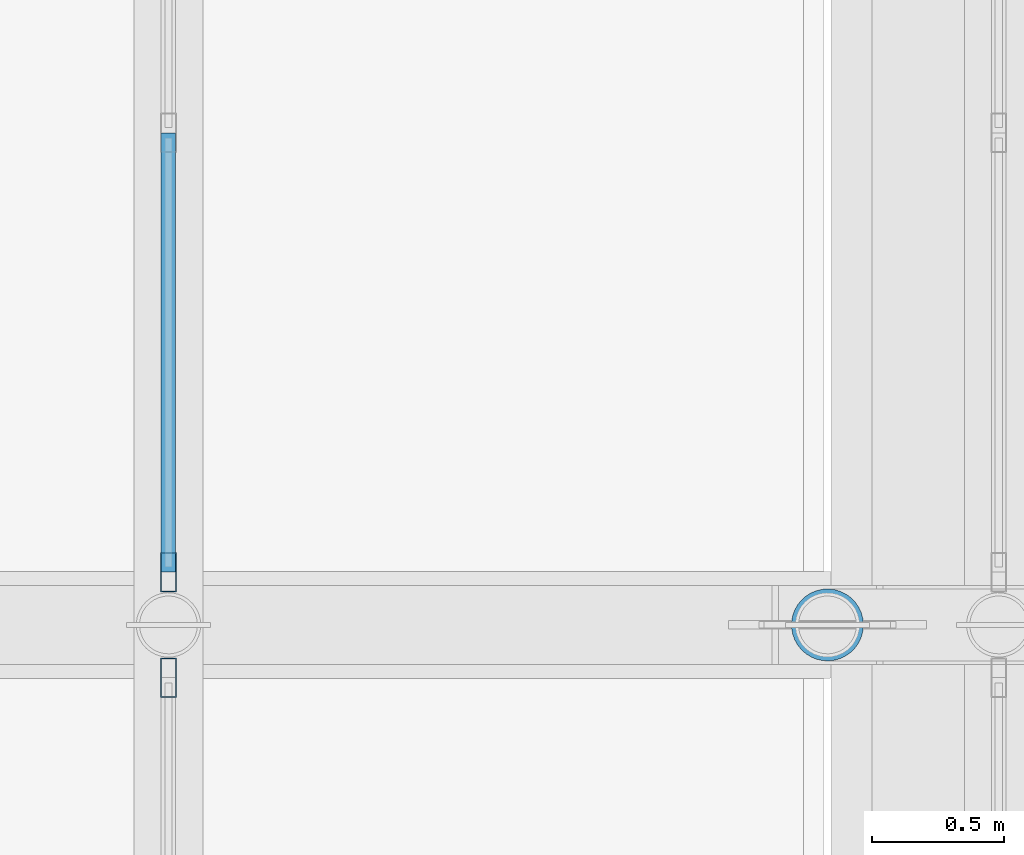
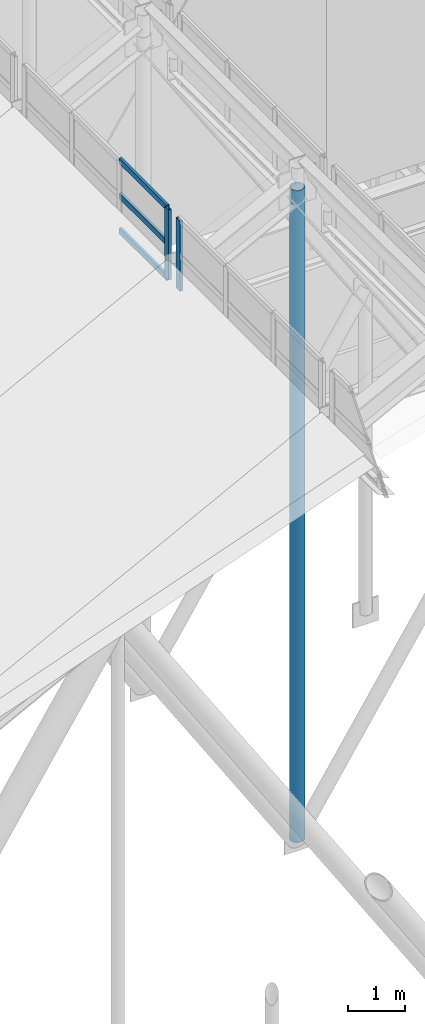
# One storey, part 19 of 84: 6 members, 2 elements without a shape of their own.
"""IFC4 building model written with IfcOpenShell, lengths in metres."""

from ifc_helpers import new_model, si_unit, direction, frame, origin, origin_2d, place, context, subcontext, project, spatial, hollow_rectangle, hollow_circle, extrude, material, layer, layer_set, material_profile, profile_set, type_object, element, aggregate, save


model = new_model("IFC4")

# Units and contexts
model_context = context("Model", 3, precision=1e-05, world=origin(), true_north=direction((0.0, 1.0)))
body_context = subcontext(model_context, "Body", "Model", "MODEL_VIEW")
ifc_project = project(units=[si_unit("LENGTHUNIT", "METRE"), si_unit("AREAUNIT", "SQUARE_METRE"), si_unit("VOLUMEUNIT", "CUBIC_METRE"), si_unit("PLANEANGLEUNIT", "RADIAN"), si_unit("MASSUNIT", "GRAM", prefix="KILO")], contexts=[model_context])

# Site, building, storey
site_placement = place(None, origin())
site = spatial("IfcSite", under=ifc_project, at=site_placement, CompositionType="ELEMENT")
building_placement = place(site_placement, origin())
building = spatial("IfcBuilding", under=site, at=building_placement, Name="Sundgate Opera House", CompositionType="ELEMENT")
storey_placement = place(building_placement, frame((0.0, 0.0, 30.60009765625)))
storey = spatial("IfcBuildingStorey", under=building, at=storey_placement, Name="L06", CompositionType="ELEMENT", Elevation=30.60009765625)

# Curtain wall, member
ifc_material_1 = material(Name="Anodized aluminium and low-iron glass", Category="aluminium")
ifc_layer = layer(ifc_material_1, 0.169921875)
ifc_layer_set = layer_set([ifc_layer], Name="Anodized aluminium and low-iron glass")
curtain_wall_type = type_object("IfcCurtainWallType", Name="CW-LANTERN-POLY", PredefinedType="NOTDEFINED", material=ifc_layer_set)
curtain_wall_1_placement = place(storey_placement, origin())
curtain_wall_1 = element("IfcCurtainWall", 1, at=curtain_wall_1_placement, inside=storey, type_object=curtain_wall_type, Name="L06 Curtain Wall CW173", PredefinedType="NOTDEFINED")
ifc_material_2 = material(Name="Anodized aluminium EN AW-6063", Category="aluminium")
ifc_material_profile_1 = material_profile(ifc_material_2, hollow_rectangle(XDim=0.06005859375, YDim=0.14990234375, WallThickness=0.00390625, at=origin_2d()), Name="CWM 150x60x4")
ifc_profile_set_1 = profile_set([ifc_material_profile_1], Name="Anodized aluminium EN AW-6063")
member_type_1 = type_object("IfcMemberType", Name="CWM-ALU-150x60", PredefinedType="MULLION", material=ifc_profile_set_1)
member_1_placement = place(storey_placement, frame((51.5, 49.0, 12.0), z_axis=(0.0, 0.0, 1.0), x_axis=(1.0, 0.0, 0.0)))
member_1 = element("IfcMember", 2, at=member_1_placement, type_object=member_type_1, Name="CW173 Mullion 1", PredefinedType="MULLION", context=body_context, shape_type="SweptSolid", body=[
    extrude(hollow_rectangle(XDim=0.06005859375, YDim=0.14990234375, WallThickness=0.00390625, at=origin_2d()), origin(), (0.0, 0.0, 1.0), 1.5),
])
aggregate(curtain_wall_1, [member_1])

# Curtain wall, members
curtain_wall_2_placement = place(storey_placement, origin())
curtain_wall_2 = element("IfcCurtainWall", 3, at=curtain_wall_2_placement, inside=storey, type_object=curtain_wall_type, Name="L06 Curtain Wall CW175", PredefinedType="NOTDEFINED")
member_2_placement = place(storey_placement, frame((51.5, 49.39990234375, 12.0), z_axis=(0.0, 0.0, 1.0), x_axis=(1.0, 0.0, 0.0)))
member_2 = element("IfcMember", 4, at=member_2_placement, type_object=member_type_1, Name="CW175 Mullion 4", PredefinedType="MULLION", context=body_context, shape_type="SweptSolid", body=[
    extrude(hollow_rectangle(XDim=0.06005859375, YDim=0.14990234375, WallThickness=0.00390625, at=origin_2d()), origin(), (0.0, 0.0, 1.0), 1.5),
])
ifc_material_3 = material(Name="Anodized aluminium EN AW-6063", Category="aluminium")
ifc_material_profile_2 = material_profile(ifc_material_3, hollow_rectangle(XDim=0.054931640625, YDim=0.1201171875, WallThickness=0.00390625, at=origin_2d()), Name="CWT 120x55x4")
ifc_profile_set_2 = profile_set([ifc_material_profile_2], Name="Anodized aluminium EN AW-6063")
member_type_2 = type_object("IfcMemberType", Name="CWT-ALU-120x55", PredefinedType="USERDEFINED", material=ifc_profile_set_2)
member_3_placement = place(storey_placement, frame((51.5, 51.066650390625, 12.0), z_axis=(0.0, -1.0, 0.0), x_axis=(1.0, 0.0, 0.0)))
member_3 = element("IfcMember", 5, at=member_3_placement, type_object=member_type_2, Name="CW175 Transom 7", ObjectType="TRANSOM", PredefinedType="USERDEFINED", context=body_context, shape_type="SweptSolid", body=[
    extrude(hollow_rectangle(XDim=0.054931640625, YDim=0.1201171875, WallThickness=0.00390625, at=origin_2d()), origin(), (0.0, 0.0, 1.0), 1.666748046875),
])
member_4_placement = place(storey_placement, frame((51.5, 51.066650390625, 12.75), z_axis=(0.0, -1.0, 0.0), x_axis=(1.0, 0.0, 0.0)))
member_4 = element("IfcMember", 6, at=member_4_placement, type_object=member_type_2, Name="CW175 Transom 8", ObjectType="TRANSOM", PredefinedType="USERDEFINED", context=body_context, shape_type="SweptSolid", body=[
    extrude(hollow_rectangle(XDim=0.054931640625, YDim=0.1201171875, WallThickness=0.00390625, at=origin_2d()), origin(), (0.0, 0.0, 1.0), 1.666748046875),
])
member_5_placement = place(storey_placement, frame((51.5, 51.066650390625, 13.5), z_axis=(0.0, -1.0, 0.0), x_axis=(1.0, 0.0, 0.0)))
member_5 = element("IfcMember", 7, at=member_5_placement, type_object=member_type_2, Name="CW175 Transom 9", ObjectType="TRANSOM", PredefinedType="USERDEFINED", context=body_context, shape_type="SweptSolid", body=[
    extrude(hollow_rectangle(XDim=0.054931640625, YDim=0.1201171875, WallThickness=0.00390625, at=origin_2d()), origin(), (0.0, 0.0, 1.0), 1.666748046875),
])
aggregate(curtain_wall_2, [member_2, member_3, member_4, member_5])

# Member
ifc_material_4 = material(Name="Steel S355J2", Category="steel")
ifc_material_profile_3 = material_profile(ifc_material_4, hollow_circle(Radius=0.136474609375, WallThickness=0.01611328125, at=origin_2d()), Name="CHS 273.0x16.0")
ifc_profile_set_3 = profile_set([ifc_material_profile_3], Name="Steel S355J2")
member_type_3 = type_object("IfcMemberType", Name="MB-STRUT-CHS273", PredefinedType="STRUT", material=ifc_profile_set_3)
member_6_placement = place(storey_placement, frame((54.0, 49.199951171875, -0.760009765625), z_axis=(0.0, 0.0, 1.0), x_axis=(1.0, 0.0, 0.0)))
element("IfcMember", 8, at=member_6_placement, inside=storey, type_object=member_type_3, Name="L06 Auditorium Truss Vertical Post M0103", PredefinedType="STRUT", context=body_context, shape_type="SweptSolid", body=[
    extrude(hollow_circle(Radius=0.136474609375, WallThickness=0.01611328125, at=origin_2d()), origin(), (0.0, 0.0, 1.0), 13.9599609375),
])

save(model, "model.ifc")
